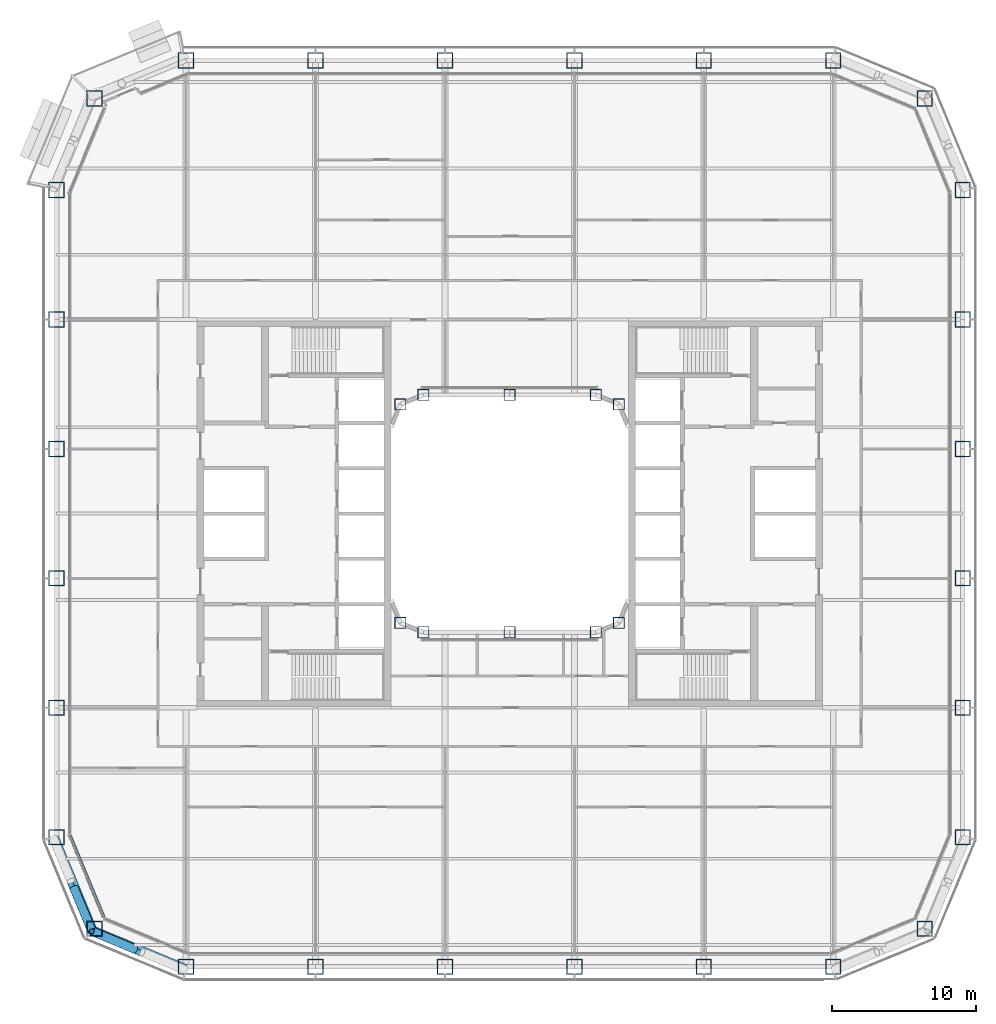
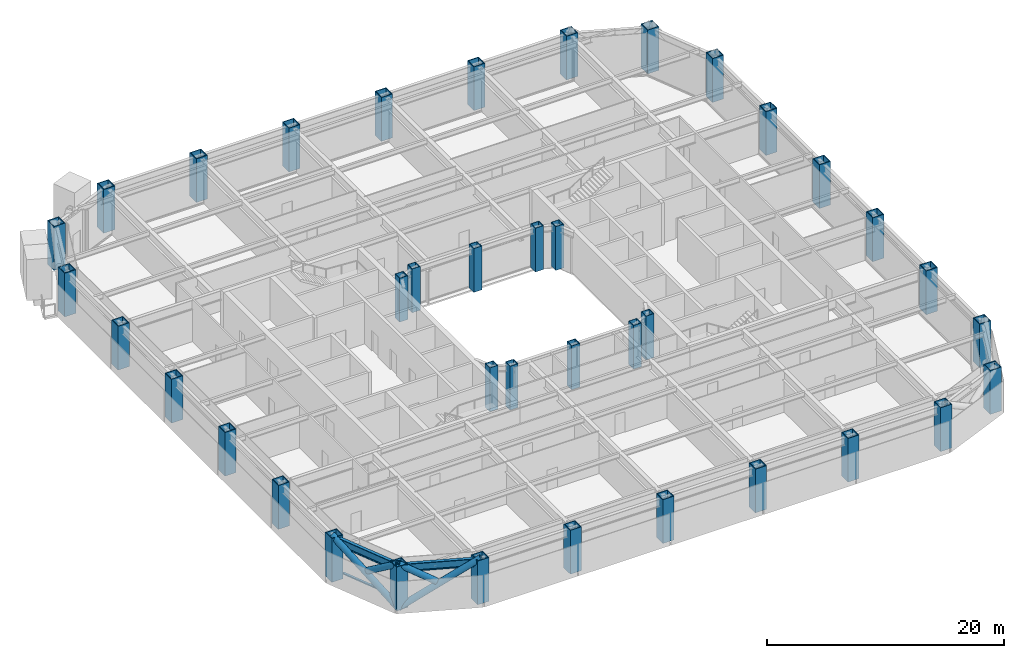
# One storey, part 1 of 28: 38 columns, 5 members, 2 beams, 1 element without a shape of its own.
"""IFC4 building model written with IfcOpenShell, lengths in metres."""

from ifc_helpers import new_model, si_unit, direction, frame, origin, origin_2d, place, context, subcontext, project, spatial, rectangle, hollow_rectangle, hollow_circle, i_section, extrude, material, layer, layer_set, material_profile, profile_set, type_object, element, aggregate, save


model = new_model("IFC4")

# Units and contexts
model_context = context("Model", 3, precision=1e-05, world=origin(), true_north=direction((0.0, 1.0)))
body_context = subcontext(model_context, "Body", "Model", "MODEL_VIEW")
ifc_project = project(units=[si_unit("LENGTHUNIT", "METRE"), si_unit("AREAUNIT", "SQUARE_METRE"), si_unit("VOLUMEUNIT", "CUBIC_METRE"), si_unit("PLANEANGLEUNIT", "RADIAN"), si_unit("MASSUNIT", "GRAM", prefix="KILO")], contexts=[model_context])

# Site, building, storey
site_placement = place(None, origin())
site = spatial("IfcSite", under=ifc_project, at=site_placement, CompositionType="ELEMENT")
building_placement = place(site_placement, origin())
building = spatial("IfcBuilding", under=site, at=building_placement, Name="Siwar Civic Tower", CompositionType="ELEMENT")
storey_placement = place(building_placement, frame((0.0, 0.0, 31.199951171875)))
storey = spatial("IfcBuildingStorey", under=building, at=storey_placement, Name="L06", CompositionType="ELEMENT", Elevation=31.199951171875)

# Columns
ifc_material_1 = material(Name="Steel S460", Category="steel")
ifc_material_profile_1 = material_profile(ifc_material_1, hollow_rectangle(XDim=1.10009765625, YDim=1.10009765625, WallThickness=0.070068359375, at=origin_2d()), Name="BOX1100x1100x70")
ifc_profile_set_1 = profile_set([ifc_material_profile_1], Name="Steel S460")
column_type_1 = type_object("IfcColumnType", Name="STR-COL-BOX1100x1100x70", PredefinedType="COLUMN", material=ifc_profile_set_1)
for number, where, z_axis, x_axis, name in (
    (1, (-22.5, -31.5, 0.0), (0.0, 0.0, 1.0), (1.0, 0.0, 0.0), "L06/col/S-0"),
    (2, (-13.5, -31.5, 0.0), (0.0, 0.0, 1.0), (1.0, 0.0, 0.0), "L06/col/S-1"),
    (3, (-4.5, -31.5, 0.0), (0.0, 0.0, 1.0), (1.0, 0.0, 0.0), "L06/col/S-2"),
    (4, (4.5, -31.5, 0.0), (0.0, 0.0, 1.0), (1.0, 0.0, 0.0), "L06/col/S-3"),
    (5, (13.5, -31.5, 0.0), (0.0, 0.0, 1.0), (1.0, 0.0, 0.0), "L06/col/S-4"),
    (6, (22.5, -31.5, 0.0), (0.0, 0.0, 1.0), (1.0, 0.0, 0.0), "L06/col/SE1-0"),
    (7, (28.864013671875, -28.864013671875, 0.0), (0.0, 0.0, 1.0), (1.0, 0.0, 0.0), "L06/col/SE2-0"),
    (8, (31.5, -22.5, 0.0), (0.0, 0.0, 1.0), (1.0, 0.0, 0.0), "L06/col/E-0"),
    (9, (31.5, -13.5, 0.0), (0.0, 0.0, 1.0), (1.0, 0.0, 0.0), "L06/col/E-1"),
    (10, (31.5, -4.5, 0.0), (0.0, 0.0, 1.0), (1.0, 0.0, 0.0), "L06/col/E-2"),
    (11, (31.5, 4.5, 0.0), (0.0, 0.0, 1.0), (1.0, 0.0, 0.0), "L06/col/E-3"),
    (12, (31.5, 13.5, 0.0), (0.0, 0.0, 1.0), (1.0, 0.0, 0.0), "L06/col/E-4"),
    (13, (31.5, 22.5, 0.0), (0.0, 0.0, 1.0), (1.0, 0.0, 0.0), "L06/col/NE1-0"),
    (14, (28.864013671875, 28.864013671875, 0.0), (0.0, 0.0, 1.0), (1.0, 0.0, 0.0), "L06/col/NE2-0"),
    (15, (22.5, 31.5, 0.0), (0.0, 0.0, 1.0), (1.0, 0.0, 0.0), "L06/col/N-0"),
    (16, (13.5, 31.5, 0.0), (0.0, 0.0, 1.0), (1.0, 0.0, 0.0), "L06/col/N-1"),
    (17, (4.5, 31.5, 0.0), (0.0, 0.0, 1.0), (1.0, 0.0, 0.0), "L06/col/N-2"),
    (18, (-4.5, 31.5, 0.0), (0.0, 0.0, 1.0), (1.0, 0.0, 0.0), "L06/col/N-3"),
    (19, (-13.5, 31.5, 0.0), (0.0, 0.0, 1.0), (1.0, 0.0, 0.0), "L06/col/N-4"),
    (20, (-22.5, 31.5, 0.0), (0.0, 0.0, 1.0), (1.0, 0.0, 0.0), "L06/col/NW1-0"),
    (21, (-28.864013671875, 28.864013671875, 0.0), (0.0, 0.0, 1.0), (1.0, 0.0, 0.0), "L06/col/NW2-0"),
    (22, (-31.5, 22.5, 0.0), (0.0, 0.0, 1.0), (1.0, 0.0, 0.0), "L06/col/W-0"),
    (23, (-31.5, 13.5, 0.0), (0.0, 0.0, 1.0), (1.0, 0.0, 0.0), "L06/col/W-1"),
    (24, (-31.5, 4.5, 0.0), (0.0, 0.0, 1.0), (1.0, 0.0, 0.0), "L06/col/W-2"),
    (25, (-31.5, -4.5, 0.0), (0.0, 0.0, 1.0), (1.0, 0.0, 0.0), "L06/col/W-3"),
    (26, (-31.5, -13.5, 0.0), (0.0, 0.0, 1.0), (1.0, 0.0, 0.0), "L06/col/W-4"),
    (27, (-31.5, -22.5, 0.0), (0.0, 0.0, 1.0), (1.0, 0.0, 0.0), "L06/col/SW1-0"),
    (28, (-28.864013671875, -28.864013671875, 0.0), (0.0, 0.0, 1.0), (1.0, 0.0, 0.0), "L06/col/SW2-0"),
):
    element("IfcColumn", number, at=place(storey_placement, frame(where, z_axis=z_axis, x_axis=x_axis)), inside=storey, type_object=column_type_1, Name=name, PredefinedType="COLUMN", context=body_context, shape_type="SweptSolid", body=[
        extrude(hollow_rectangle(XDim=1.10009765625, YDim=1.10009765625, WallThickness=0.070068359375, at=origin_2d()), origin(), (0.0, 0.0, 1.0), 4.5),
    ])
ifc_material_2 = material(Name="Steel S355", Category="steel")
ifc_material_profile_2 = material_profile(ifc_material_2, hollow_rectangle(XDim=0.800048828125, YDim=0.800048828125, WallThickness=0.050048828125, at=origin_2d()), Name="BOX800x800x50")
ifc_profile_set_2 = profile_set([ifc_material_profile_2], Name="Steel S355")
column_type_2 = type_object("IfcColumnType", Name="STR-ICOL-BOX800x800x50", PredefinedType="COLUMN", material=ifc_profile_set_2)
for number, where, z_axis, x_axis, name in (
    (29, (-7.591064453125, -7.591064453125, 0.0), (0.0, 0.0, 1.0), (1.0, 0.0, 0.0), "L06/col/IS-0"),
    (30, (-6.0, -8.25, 0.0), (0.0, 0.0, 1.0), (1.0, 0.0, 0.0), "L06/col/IS-1"),
    (31, (0.0, -8.25, 0.0), (0.0, 0.0, 1.0), (1.0, 0.0, 0.0), "L06/col/IS-2"),
    (32, (6.0, -8.25, 0.0), (0.0, 0.0, 1.0), (1.0, 0.0, 0.0), "L06/col/IS-3"),
    (33, (7.591064453125, -7.591064453125, 0.0), (0.0, 0.0, 1.0), (1.0, 0.0, 0.0), "L06/col/IS-4"),
    (34, (-7.591064453125, 7.591064453125, 0.0), (0.0, 0.0, 1.0), (1.0, 0.0, 0.0), "L06/col/IN-0"),
    (35, (-6.0, 8.25, 0.0), (0.0, 0.0, 1.0), (1.0, 0.0, 0.0), "L06/col/IN-1"),
    (36, (0.0, 8.25, 0.0), (0.0, 0.0, 1.0), (1.0, 0.0, 0.0), "L06/col/IN-2"),
    (37, (6.0, 8.25, 0.0), (0.0, 0.0, 1.0), (1.0, 0.0, 0.0), "L06/col/IN-3"),
    (38, (7.591064453125, 7.591064453125, 0.0), (0.0, 0.0, 1.0), (1.0, 0.0, 0.0), "L06/col/IN-4"),
):
    element("IfcColumn", number, at=place(storey_placement, frame(where, z_axis=z_axis, x_axis=x_axis)), inside=storey, type_object=column_type_2, Name=name, PredefinedType="COLUMN", context=body_context, shape_type="SweptSolid", body=[
        extrude(hollow_rectangle(XDim=0.800048828125, YDim=0.800048828125, WallThickness=0.050048828125, at=origin_2d()), origin(), (0.0, 0.0, 1.0), 4.5),
    ])

# Curtain wall, member
ifc_material_3 = material(Name="Aluminium clad insulated panel", Category="aluminium")
ifc_layer = layer(ifc_material_3, 0.219970703125)
ifc_layer_set = layer_set([ifc_layer], Name="Aluminium clad insulated panel")
curtain_wall_type = type_object("IfcCurtainWallType", Name="ENV-CW-AX", PredefinedType="NOTDEFINED", material=ifc_layer_set)
curtain_wall_placement = place(storey_placement, origin())
curtain_wall = element("IfcCurtainWall", 39, at=curtain_wall_placement, inside=storey, type_object=curtain_wall_type, Name="Curtain wall A SW1", PredefinedType="NOTDEFINED")
ifc_material_4 = material(Name="Aluminium 6063-T6", Category="aluminium")
ifc_material_profile_3 = material_profile(ifc_material_4, rectangle(XDim=0.219970703125, YDim=0.1201171875, at=origin_2d()), Name="AL 220x120")
ifc_profile_set_3 = profile_set([ifc_material_profile_3], Name="Aluminium 6063-T6")
member_type_1 = type_object("IfcMemberType", Name="ENV-TRANSOM-A", PredefinedType="USERDEFINED", material=ifc_profile_set_3)
member_1_placement = place(storey_placement, frame((-30.586669921875, -22.353271484375, 0.06005859375), z_axis=(0.382698415042, -0.923873326341, 0.0), x_axis=(0.923873326341, 0.382698415042, 0.0)))
member_1 = element("IfcMember", 40, at=member_1_placement, type_object=member_type_1, Name="Transom A SW1 1", ObjectType="TRANSOM", PredefinedType="USERDEFINED", context=body_context, shape_type="SweptSolid", body=[
    extrude(rectangle(XDim=0.219970703125, YDim=0.1201171875, at=origin_2d()), origin(), (0.0, 0.0, 1.0), 6.17919921875),
])
aggregate(curtain_wall, [member_1])

# Members
ifc_material_5 = material(Name="Steel S355", Category="steel")
ifc_material_profile_4 = material_profile(ifc_material_5, hollow_circle(Radius=0.304931640625, WallThickness=0.030029296875, at=origin_2d()), Name="CHS610x30")
ifc_profile_set_4 = profile_set([ifc_material_profile_4], Name="Steel S355")
member_type_2 = type_object("IfcMemberType", Name="STR-BR-CHS610x30", PredefinedType="BRACE", material=ifc_profile_set_4)
member_2_placement = place(storey_placement, frame((-29.040771484375, -29.040771484375, 0.0), z_axis=(0.777554562952, -0.323905527954, 0.538975055633), x_axis=(0.384538969033, 0.923108759191, 0.0)))
element("IfcMember", 41, at=member_2_placement, inside=storey, type_object=member_type_2, Name="L06/brc/ASW1-5-0-1", PredefinedType="BRACE", context=body_context, shape_type="SweptSolid", body=[
    extrude(hollow_circle(Radius=0.304931640625, WallThickness=0.030029296875, at=origin_2d()), origin(), (0.0, 0.0, 1.0), 8.34912109375),
])
member_3_placement = place(storey_placement, frame((-26.052001953125, -30.285888671875, 2.428466796875), z_axis=(-0.777568797048, 0.323934068367, 0.538937366685), x_axis=(-0.384561842466, -0.923099230484, 0.0)))
element("IfcMember", 42, at=member_3_placement, inside=storey, type_object=member_type_2, Name="L06/brc/ASW1-5-0-3", PredefinedType="BRACE", context=body_context, shape_type="SweptSolid", body=[
    extrude(hollow_circle(Radius=0.304931640625, WallThickness=0.030029296875, at=origin_2d()), origin(), (0.0, 0.0, 1.0), 3.84375),
])
member_4_placement = place(storey_placement, frame((-29.040771484375, -29.040771484375, 0.0), z_axis=(-0.323905527954, 0.777554562952, 0.538975055633), x_axis=(-0.923108759191, -0.384538969033, 0.0)))
element("IfcMember", 43, at=member_4_placement, inside=storey, type_object=member_type_2, Name="L06/brc/ASW1-5-0-0", PredefinedType="BRACE", context=body_context, shape_type="SweptSolid", body=[
    extrude(hollow_circle(Radius=0.304931640625, WallThickness=0.030029296875, at=origin_2d()), origin(), (0.0, 0.0, 1.0), 8.34912109375),
])
member_5_placement = place(storey_placement, frame((-30.285888671875, -26.052001953125, 2.428466796875), z_axis=(0.323934068367, -0.777568797048, 0.538937366685), x_axis=(0.923099230484, 0.384561842466, 0.0)))
element("IfcMember", 44, at=member_5_placement, inside=storey, type_object=member_type_2, Name="L06/brc/ASW1-5-0-5", PredefinedType="BRACE", context=body_context, shape_type="SweptSolid", body=[
    extrude(hollow_circle(Radius=0.304931640625, WallThickness=0.030029296875, at=origin_2d()), origin(), (0.0, 0.0, 1.0), 3.84375),
])

# Beams
ifc_material_6 = material(Name="Steel S355", Category="steel")
ifc_material_profile_5 = material_profile(ifc_material_6, i_section(OverallWidth=0.302978515625, OverallDepth=0.81396484375, WebThickness=0.02099609375, FlangeThickness=0.0400390625, FilletRadius=0.030029296875, at=origin_2d()), Name="HEM800")
ifc_profile_set_5 = profile_set([ifc_material_profile_5], Name="Steel S355")
beam_type = type_object("IfcBeamType", Name="STR-SB-HEM800", PredefinedType="BEAM", material=ifc_profile_set_5)
for number, where, z_axis, x_axis, name in (
    (45, (-31.5, -22.5, 3.943115234375), (0.382674207535, -0.923883353507, 0.0), (0.923883353507, 0.382674207535, 0.0), "L06/bm/SSW1-0"),
    (46, (-28.864013671875, -28.864013671875, 3.943115234375), (0.923883353507, -0.382674207535, 0.0), (0.382674207535, 0.923883353507, 0.0), "L06/bm/SSW2-0"),
):
    element("IfcBeam", number, at=place(storey_placement, frame(where, z_axis=z_axis, x_axis=x_axis)), inside=storey, type_object=beam_type, Name=name, PredefinedType="BEAM", context=body_context, shape_type="SweptSolid", body=[
        extrude(i_section(OverallWidth=0.302978515625, OverallDepth=0.81396484375, WebThickness=0.02099609375, FlangeThickness=0.0400390625, FilletRadius=0.030029296875, at=origin_2d()), origin(), (0.0, 0.0, 1.0), 6.888427734375),
    ])

save(model, "model.ifc")
